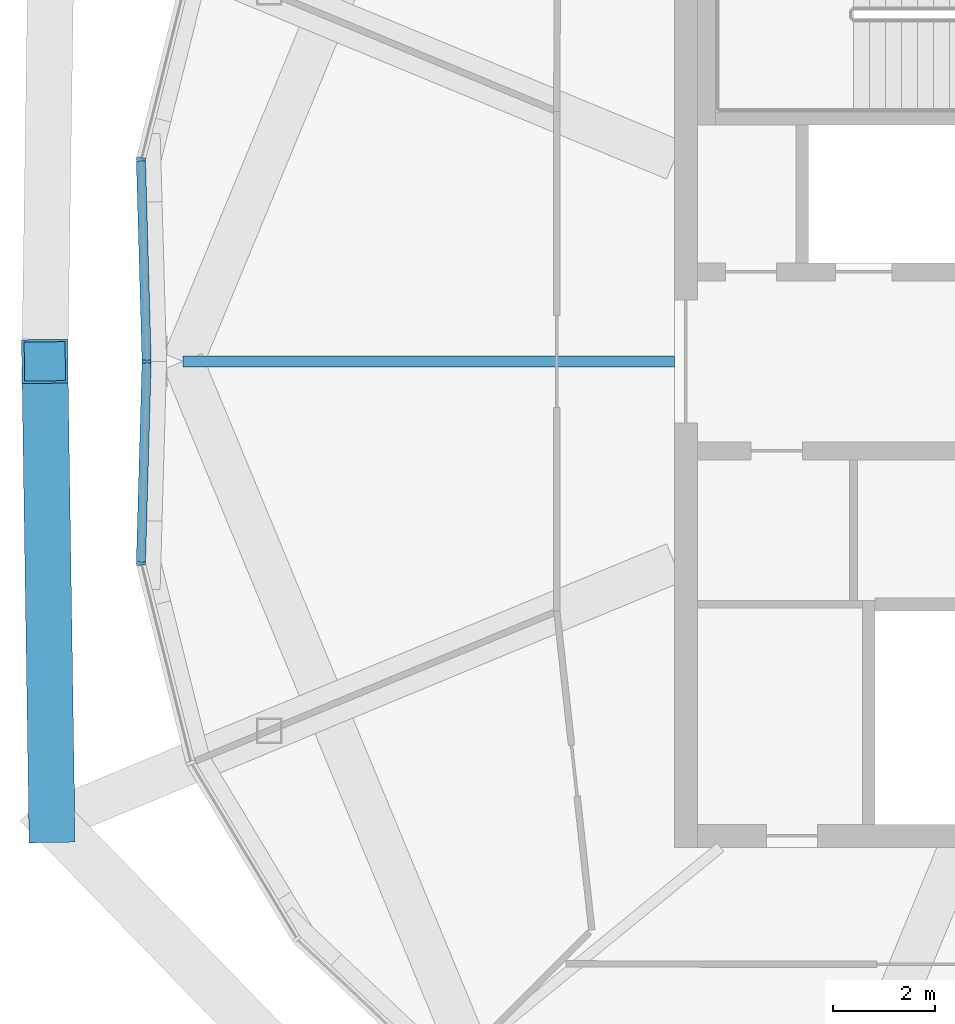
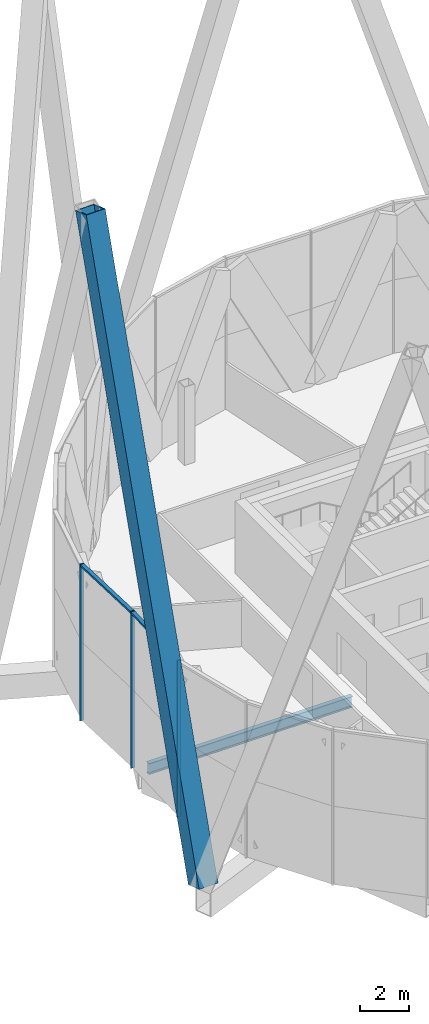
# One storey, part 8 of 53: 6 members, 1 beam, 2 elements without a shape of their own.
"""IFC4 building model written with IfcOpenShell, lengths in metres."""

from ifc_helpers import new_model, si_unit, direction, frame, origin, origin_2d, place, context, subcontext, project, spatial, rectangle, hollow_rectangle, i_section, extrude, material, material_profile, profile_set, type_object, element, aggregate, save


model = new_model("IFC4")

# Units and contexts
model_context = context("Model", 3, precision=1e-05, world=origin(), true_north=direction((0.0, 1.0)))
body_context = subcontext(model_context, "Body", "Model", "MODEL_VIEW")
ifc_project = project(units=[si_unit("LENGTHUNIT", "METRE"), si_unit("AREAUNIT", "SQUARE_METRE"), si_unit("VOLUMEUNIT", "CUBIC_METRE"), si_unit("PLANEANGLEUNIT", "RADIAN"), si_unit("MASSUNIT", "GRAM", prefix="KILO")], contexts=[model_context])

# Site, building, storey
site_placement = place(None, origin())
site = spatial("IfcSite", under=ifc_project, at=site_placement, CompositionType="ELEMENT")
building_placement = place(site_placement, origin())
building = spatial("IfcBuilding", under=site, at=building_placement, Name="Ogive Gate Towers", CompositionType="ELEMENT")
storey_placement = place(building_placement, frame((0.0, 0.0, 240.60009765625)))
storey = spatial("IfcBuildingStorey", under=building, at=storey_placement, Name="L57", CompositionType="ELEMENT", Elevation=240.60009765625)

# Member
ifc_material_1 = material(Name="Steel SM460", Category="steel")
ifc_material_profile_1 = material_profile(ifc_material_1, hollow_rectangle(XDim=0.89990234375, YDim=0.89990234375, WallThickness=0.050048828125, at=origin_2d()), Name="BX 900x900x50")
ifc_profile_set_1 = profile_set([ifc_material_profile_1], Name="Steel SM460")
member_type_1 = type_object("IfcMemberType", Name="Diagrid diagonal BX 900x900x50", PredefinedType="BRACE", material=ifc_profile_set_1)
member_1_placement = place(storey_placement, frame((-57.67431640625, -8.977783203125, 0.0), z_axis=(-0.00458667981, 0.303356073086, 0.952866231582), x_axis=(-0.999885715585, -0.015118061019, 0.0)))
element("IfcMember", 1, at=member_1_placement, inside=storey, type_object=member_type_1, Name="T1/L57/SDG009", PredefinedType="BRACE", context=body_context, shape_type="SweptSolid", body=[
    extrude(hollow_rectangle(XDim=0.89990234375, YDim=0.89990234375, WallThickness=0.050048828125, at=origin_2d()), origin(), (0.0, 0.0, 1.0), 29.594970703125),
])

# Beam
ifc_material_2 = material(Name="Steel SM355", Category="steel")
ifc_material_profile_2 = material_profile(ifc_material_2, i_section(OverallWidth=0.2099609375, OverallDepth=0.550048828125, WebThickness=0.010986328125, FlangeThickness=0.01708984375, FilletRadius=0.02392578125, at=origin_2d()), Name="IPE 550")
ifc_profile_set_2 = profile_set([ifc_material_profile_2], Name="Steel SM355")
beam_type = type_object("IfcBeamType", Name="Radial floor beam IPE 550", PredefinedType="BEAM", material=ifc_profile_set_2)
beam_placement = place(storey_placement, frame((-45.5, 0.0, -0.5751953125), z_axis=(-1.0, 0.0, 0.0), x_axis=(0.0, -1.0, 0.0)))
element("IfcBeam", 2, at=beam_placement, inside=storey, type_object=beam_type, Name="T1/L57/SBM015", PredefinedType="BEAM", context=body_context, shape_type="SweptSolid", body=[
    extrude(i_section(OverallWidth=0.2099609375, OverallDepth=0.550048828125, WebThickness=0.010986328125, FlangeThickness=0.01708984375, FilletRadius=0.02392578125, at=origin_2d()), origin(), (0.0, 0.0, 1.0), 9.610107421875),
])

# Curtain wall, members
ifc_material_3 = material(Name="Pale metal aluminium", Category="aluminium")
curtain_wall_type = type_object("IfcCurtainWallType", Name="Tower unitised wall, high zone", PredefinedType="NOTDEFINED", material=ifc_material_3)
curtain_wall_1_placement = place(storey_placement, origin())
curtain_wall_1 = element("IfcCurtainWall", 3, at=curtain_wall_1_placement, inside=storey, type_object=curtain_wall_type, Name="CW2 T1 ECW06", PredefinedType="NOTDEFINED")
ifc_material_profile_3 = material_profile(ifc_material_3, rectangle(XDim=0.179931640625, YDim=0.06005859375, at=origin_2d()), Name="60 x 180 aluminium box")
ifc_profile_set_3 = profile_set([ifc_material_profile_3], Name="Pale metal aluminium")
member_type_2 = type_object("IfcMemberType", Name="Tower unitised wall, high zone mullion 60 x 180", PredefinedType="MULLION", material=ifc_profile_set_3)
member_2_placement = place(storey_placement, frame((-55.820068359375, -0.000244140625, -0.300048828125), z_axis=(0.0, 0.0, 1.0), x_axis=(0.999598826037, 0.028322905681, 0.0)))
member_2 = element("IfcMember", 4, at=member_2_placement, type_object=member_type_2, Name="CW2 mullion", PredefinedType="MULLION", context=body_context, shape_type="SweptSolid", body=[
    extrude(rectangle(XDim=0.179931640625, YDim=0.06005859375, at=origin_2d()), origin(), (0.0, 0.0, 1.0), 7.800048828125),
])
member_3_placement = place(storey_placement, frame((-55.931884765625, 3.954833984375, -0.300048828125), z_axis=(0.0, 0.0, 1.0), x_axis=(0.994160384909, -0.107912599257, 0.0)))
member_3 = element("IfcMember", 5, at=member_3_placement, type_object=member_type_2, Name="CW2 mullion", PredefinedType="MULLION", context=body_context, shape_type="SweptSolid", body=[
    extrude(rectangle(XDim=0.179931640625, YDim=0.06005859375, at=origin_2d()), origin(), (0.0, 0.0, 1.0), 7.800048828125),
])

# Curtain wall, member
curtain_wall_2_placement = place(storey_placement, origin())
curtain_wall_2 = element("IfcCurtainWall", 6, at=curtain_wall_2_placement, inside=storey, type_object=curtain_wall_type, Name="CW2 T1 ECW07", PredefinedType="NOTDEFINED")
member_4_placement = place(storey_placement, frame((-55.931884765625, -3.954833984375, -0.300048828125), z_axis=(0.0, 0.0, 1.0), x_axis=(0.994160384909, 0.107912599257, 0.0)))
member_4 = element("IfcMember", 7, at=member_4_placement, type_object=member_type_2, Name="CW2 mullion", PredefinedType="MULLION", context=body_context, shape_type="SweptSolid", body=[
    extrude(rectangle(XDim=0.179931640625, YDim=0.06005859375, at=origin_2d()), origin(), (0.0, 0.0, 1.0), 7.800048828125),
])

# Member
ifc_material_profile_4 = material_profile(ifc_material_3, rectangle(XDim=0.179931640625, YDim=0.10009765625, at=origin_2d()), Name="100 x 180 aluminium box")
ifc_profile_set_4 = profile_set([ifc_material_profile_4], Name="Pale metal aluminium")
member_type_3 = type_object("IfcMemberType", Name="Tower unitised wall, high zone transom 100 x 180", PredefinedType="USERDEFINED", material=ifc_profile_set_4)
member_5_placement = place(storey_placement, frame((-55.82080078125, 0.02978515625, 7.449951171875), z_axis=(-0.028330735458, 0.999598604155, 0.0), x_axis=(-0.999598604155, -0.028330735458, 0.0)))
member_5 = element("IfcMember", 8, at=member_5_placement, type_object=member_type_3, Name="CW2 transom", ObjectType="TRANSOM", PredefinedType="USERDEFINED", context=body_context, shape_type="SweptSolid", body=[
    extrude(rectangle(XDim=0.179931640625, YDim=0.10009765625, at=origin_2d()), origin(), (0.0, 0.0, 1.0), 3.89501953125),
])

aggregate(curtain_wall_1, [member_2, member_3, member_5])

member_6_placement = place(storey_placement, frame((-55.93115234375, -3.92333984375, 7.449951171875), z_axis=(0.028330735458, 0.999598604155, 0.0), x_axis=(-0.999598604155, 0.028330735458, 0.0)))
member_6 = element("IfcMember", 9, at=member_6_placement, type_object=member_type_3, Name="CW2 transom", ObjectType="TRANSOM", PredefinedType="USERDEFINED", context=body_context, shape_type="SweptSolid", body=[
    extrude(rectangle(XDim=0.179931640625, YDim=0.10009765625, at=origin_2d()), origin(), (0.0, 0.0, 1.0), 3.89501953125),
])

aggregate(curtain_wall_2, [member_4, member_6])

save(model, "model.ifc")
